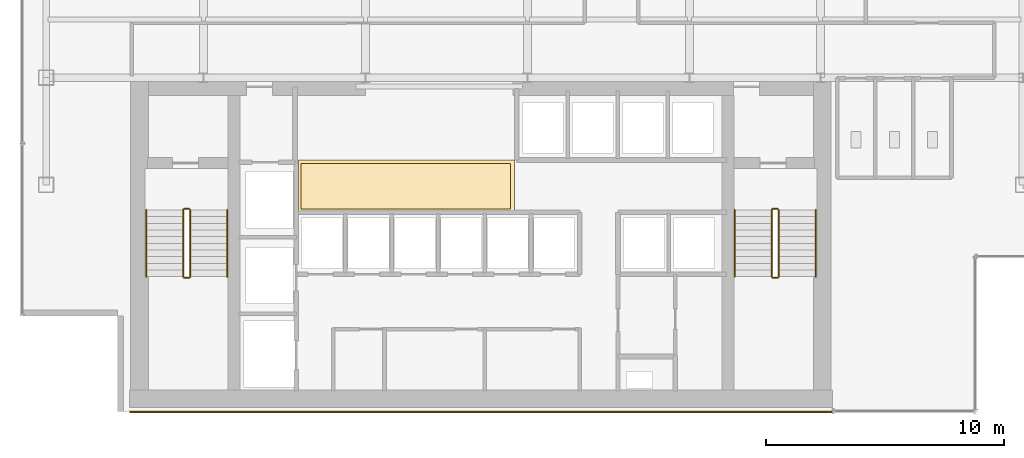
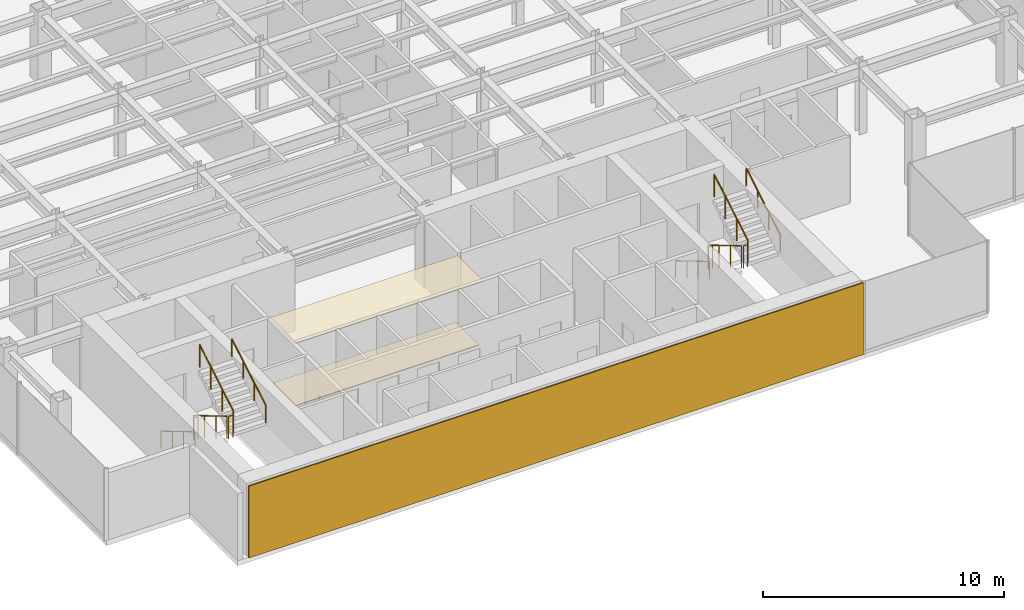
# One storey, part 23 of 25: 12 railings, 3 coverings.
"""IFC4 building model written with IfcOpenShell, lengths in metres."""

from ifc_helpers import new_model, si_unit, derived_unit, direction, frame, origin, origin_2d, place, context, subcontext, project, spatial, polyline, rectangle, circle, outline, extrude, source, transform, mapped, material, layer, layer_set, type_object, element, save


model = new_model("IFC4")

# Units and contexts
model_context = context("Model", 3, precision=1e-05, world=origin(), true_north=direction((0.0, 1.0)))
body_context = subcontext(model_context, "Body", "Model", "MODEL_VIEW")
ifc_project = project(units=[si_unit("LENGTHUNIT", "METRE"), si_unit("AREAUNIT", "SQUARE_METRE"), si_unit("VOLUMEUNIT", "CUBIC_METRE"), si_unit("PLANEANGLEUNIT", "RADIAN"), si_unit("MASSUNIT", "GRAM", prefix="KILO"), derived_unit("THERMALTRANSMITTANCEUNIT", [(si_unit("POWERUNIT", "WATT"), 1), (si_unit("LENGTHUNIT", "METRE"), -2), (si_unit("THERMODYNAMICTEMPERATUREUNIT", "KELVIN"), -1)])], contexts=[model_context])

# Site, building, storey
site_placement = place(None, origin())
site = spatial("IfcSite", under=ifc_project, at=site_placement, CompositionType="ELEMENT")
building_placement = place(site_placement, origin())
building = spatial("IfcBuilding", under=site, at=building_placement, Name="Skarnbrae Concourse Arena and Tower", CompositionType="ELEMENT")
storey_placement = place(building_placement, frame((0.0, 0.0, 162.5)))
storey = spatial("IfcBuildingStorey", under=building, at=storey_placement, Name="L41", CompositionType="ELEMENT", Elevation=162.5)

# Coverings
ifc_material_1 = material(Name="Mineral fibre acoustic ceiling tile", Category="other")
ifc_layer_1 = layer(ifc_material_1, 0.0400390625)
ifc_layer_set_1 = layer_set([ifc_layer_1], Name="Mineral fibre acoustic ceiling tile")
covering_type_1 = type_object("IfcCoveringType", Name="COV-CEIL-ACOUSTIC", PredefinedType="CEILING", material=ifc_layer_set_1)
covering_1_placement = place(storey_placement, frame((0.0, 0.0, 3.239990234375)))
element("IfcCovering", 1, at=covering_1_placement, inside=storey, type_object=covering_type_1, Name="L41 Lift lobby acoustic ceiling", PredefinedType="CEILING", context=body_context, shape_type="SweptSolid", body=[
    extrude(outline(polyline([(11.60009765625, 8.39990234375), (20.64990234375, 8.39990234375), (20.64990234375, 10.550048828125), (11.60009765625, 10.550048828125), (11.60009765625, 8.39990234375)])), origin(), (0.0, 0.0, 1.0), 0.0400390625),
])
ifc_material_2 = material(Name="Polished granite terrazzo flooring", Category="masonry")
ifc_layer_2 = layer(ifc_material_2, 0.0400390625)
ifc_layer_set_2 = layer_set([ifc_layer_2], Name="Polished granite terrazzo flooring")
covering_type_2 = type_object("IfcCoveringType", Name="COV-FLOOR-TERRAZZO", PredefinedType="FLOORING", material=ifc_layer_set_2)
covering_2_placement = place(storey_placement, origin())
element("IfcCovering", 2, at=covering_2_placement, inside=storey, type_object=covering_type_2, Name="L41 Lift lobby terrazzo flooring", PredefinedType="FLOORING", context=body_context, shape_type="SweptSolid", body=[
    extrude(outline(polyline([(11.699951171875, 8.5), (20.5, 8.5), (20.5, 10.39990234375), (11.699951171875, 10.39990234375), (11.699951171875, 8.5)])), origin(), (0.0, 0.0, 1.0), 0.0400390625),
])

# Railings
ifc_material_3 = material(Name="Steel CSA G40.21 350W", Category="steel")
railing_type_1 = type_object("IfcRailingType", Name="RAIL-HANDRAIL-900", PredefinedType="HANDRAIL", material=ifc_material_3)
railing_1_placement = place(storey_placement, frame((5.199951171875, 8.449951171875, 0.166015625)))
element("IfcRailing", 3, at=railing_1_placement, inside=storey, type_object=railing_type_1, Name="L41 ST-1 stair handrail 1", PredefinedType="HANDRAIL", context=body_context, shape_type="SweptSolid", body=[
    extrude(circle(Radius=0.02392578125, at=origin_2d()), frame((0.0, 0.0, 0.8759765625), z_axis=(0.0, -0.860339051648, 0.50972219513), x_axis=(1.0, 0.0, 0.0)), (0.0, 0.0, 1.0), 3.254638671875),
    extrude(circle(Radius=0.02099609375, at=origin_2d()), origin(), (0.0, 0.0, 1.0), 0.851806640625),
    extrude(circle(Radius=0.02099609375, at=origin_2d()), frame((0.0, -0.933349609375, 0.552978515625)), (0.0, 0.0, 1.0), 0.851806640625),
    extrude(circle(Radius=0.02099609375, at=origin_2d()), frame((0.0, -1.86669921875, 1.10595703125)), (0.0, 0.0, 1.0), 0.851806640625),
    extrude(circle(Radius=0.02099609375, at=origin_2d()), frame((0.0, -2.800048828125, 1.658935546875)), (0.0, 0.0, 1.0), 0.851806640625),
])
railing_2_placement = place(storey_placement, frame((8.60009765625, 5.64990234375, 1.990966796875)))
element("IfcRailing", 4, at=railing_2_placement, inside=storey, type_object=railing_type_1, Name="L41 ST-1 stair handrail 2", PredefinedType="HANDRAIL", context=body_context, shape_type="SweptSolid", body=[
    extrude(circle(Radius=0.02392578125, at=origin_2d()), frame((0.0, 0.0, 0.8759765625), z_axis=(0.0, 0.860339051648, 0.50972219513), x_axis=(-1.0, 0.0, 0.0)), (0.0, 0.0, 1.0), 3.254638671875),
    extrude(circle(Radius=0.02099609375, at=origin_2d()), origin(), (0.0, 0.0, 1.0), 0.851806640625),
    extrude(circle(Radius=0.02099609375, at=origin_2d()), frame((0.0, 0.933349609375, 0.552978515625)), (0.0, 0.0, 1.0), 0.851806640625),
    extrude(circle(Radius=0.02099609375, at=origin_2d()), frame((0.0, 1.86669921875, 1.10595703125)), (0.0, 0.0, 1.0), 0.851806640625),
    extrude(circle(Radius=0.02099609375, at=origin_2d()), frame((0.0, 2.800048828125, 1.658935546875)), (0.0, 0.0, 1.0), 0.851806640625),
])
railing_3_placement = place(storey_placement, frame((29.89990234375, 8.449951171875, 0.166015625)))
element("IfcRailing", 5, at=railing_3_placement, inside=storey, type_object=railing_type_1, Name="L41 ST-2 stair handrail 1", PredefinedType="HANDRAIL", context=body_context, shape_type="SweptSolid", body=[
    extrude(circle(Radius=0.02392578125, at=origin_2d()), frame((0.0, 0.0, 0.8759765625), z_axis=(0.0, -0.860339051648, 0.50972219513), x_axis=(1.0, 0.0, 0.0)), (0.0, 0.0, 1.0), 3.254638671875),
    extrude(circle(Radius=0.02099609375, at=origin_2d()), origin(), (0.0, 0.0, 1.0), 0.851806640625),
    extrude(circle(Radius=0.02099609375, at=origin_2d()), frame((0.0, -0.933349609375, 0.552978515625)), (0.0, 0.0, 1.0), 0.851806640625),
    extrude(circle(Radius=0.02099609375, at=origin_2d()), frame((0.0, -1.86669921875, 1.10595703125)), (0.0, 0.0, 1.0), 0.851806640625),
    extrude(circle(Radius=0.02099609375, at=origin_2d()), frame((0.0, -2.800048828125, 1.658935546875)), (0.0, 0.0, 1.0), 0.851806640625),
])
railing_4_placement = place(storey_placement, frame((33.300048828125, 5.64990234375, 1.990966796875)))
element("IfcRailing", 6, at=railing_4_placement, inside=storey, type_object=railing_type_1, Name="L41 ST-2 stair handrail 2", PredefinedType="HANDRAIL", context=body_context, shape_type="SweptSolid", body=[
    extrude(circle(Radius=0.02392578125, at=origin_2d()), frame((0.0, 0.0, 0.8759765625), z_axis=(0.0, 0.860339051648, 0.50972219513), x_axis=(-1.0, 0.0, 0.0)), (0.0, 0.0, 1.0), 3.254638671875),
    extrude(circle(Radius=0.02099609375, at=origin_2d()), origin(), (0.0, 0.0, 1.0), 0.851806640625),
    extrude(circle(Radius=0.02099609375, at=origin_2d()), frame((0.0, 0.933349609375, 0.552978515625)), (0.0, 0.0, 1.0), 0.851806640625),
    extrude(circle(Radius=0.02099609375, at=origin_2d()), frame((0.0, 1.86669921875, 1.10595703125)), (0.0, 0.0, 1.0), 0.851806640625),
    extrude(circle(Radius=0.02099609375, at=origin_2d()), frame((0.0, 2.800048828125, 1.658935546875)), (0.0, 0.0, 1.0), 0.851806640625),
])
railing_type_2 = type_object("IfcRailingType", Name="RAIL-STAIR-GUARD-1150", PredefinedType="GUARDRAIL", material=ifc_material_3)
railing_5_placement = place(storey_placement, frame((6.75, 8.449951171875, 0.166015625)))
element("IfcRailing", 7, at=railing_5_placement, inside=storey, type_object=railing_type_2, Name="L41 ST-1 stair guard 1", PredefinedType="GUARDRAIL", context=body_context, shape_type="SweptSolid", body=[
    extrude(circle(Radius=0.02392578125, at=origin_2d()), frame((0.0, 0.0, 1.1259765625), z_axis=(0.0, -0.860339051648, 0.50972219513), x_axis=(1.0, 0.0, 0.0)), (0.0, 0.0, 1.0), 3.254638671875),
    extrude(circle(Radius=0.02099609375, at=origin_2d()), origin(), (0.0, 0.0, 1.0), 1.101806640625),
    extrude(circle(Radius=0.02099609375, at=origin_2d()), frame((0.0, -0.933349609375, 0.552978515625)), (0.0, 0.0, 1.0), 1.101806640625),
    extrude(circle(Radius=0.02099609375, at=origin_2d()), frame((0.0, -1.86669921875, 1.10595703125)), (0.0, 0.0, 1.0), 1.101806640625),
    extrude(circle(Radius=0.02099609375, at=origin_2d()), frame((0.0, -2.800048828125, 1.658935546875)), (0.0, 0.0, 1.0), 1.101806640625),
])
railing_6_placement = place(storey_placement, frame((6.800048828125, 5.60009765625, 1.824951171875)))
element("IfcRailing", 8, at=railing_6_placement, inside=storey, type_object=railing_type_2, Name="L41 ST-1 stair guard 2", PredefinedType="GUARDRAIL", context=body_context, shape_type="SweptSolid", body=[
    extrude(circle(Radius=0.02392578125, at=origin_2d()), frame((0.0, 0.0, 1.1259765625), z_axis=(1.0, 0.0, 0.0), x_axis=(0.0, 1.0, 0.0)), (0.0, 0.0, 1.0), 0.199951171875),
    extrude(circle(Radius=0.02099609375, at=origin_2d()), origin(), (0.0, 0.0, 1.0), 1.101806640625),
    extrude(circle(Radius=0.02099609375, at=origin_2d()), frame((0.199951171875, 0.0, 0.0)), (0.0, 0.0, 1.0), 1.101806640625),
])
railing_7_placement = place(storey_placement, frame((7.050048828125, 5.64990234375, 1.990966796875)))
element("IfcRailing", 9, at=railing_7_placement, inside=storey, type_object=railing_type_2, Name="L41 ST-1 stair guard 3", PredefinedType="GUARDRAIL", context=body_context, shape_type="SweptSolid", body=[
    extrude(circle(Radius=0.02392578125, at=origin_2d()), frame((0.0, 0.0, 1.1259765625), z_axis=(0.0, 0.860339051648, 0.50972219513), x_axis=(-1.0, 0.0, 0.0)), (0.0, 0.0, 1.0), 3.254638671875),
    extrude(circle(Radius=0.02099609375, at=origin_2d()), origin(), (0.0, 0.0, 1.0), 1.101806640625),
    extrude(circle(Radius=0.02099609375, at=origin_2d()), frame((0.0, 0.933349609375, 0.552978515625)), (0.0, 0.0, 1.0), 1.101806640625),
    extrude(circle(Radius=0.02099609375, at=origin_2d()), frame((0.0, 1.86669921875, 1.10595703125)), (0.0, 0.0, 1.0), 1.101806640625),
    extrude(circle(Radius=0.02099609375, at=origin_2d()), frame((0.0, 2.800048828125, 1.658935546875)), (0.0, 0.0, 1.0), 1.101806640625),
])
railing_8_placement = place(storey_placement, frame((6.800048828125, 8.5, 0.0)))
element("IfcRailing", 10, at=railing_8_placement, inside=storey, type_object=railing_type_2, Name="L41 ST-1 stair guard 4", PredefinedType="GUARDRAIL", context=body_context, shape_type="SweptSolid", body=[
    extrude(circle(Radius=0.02392578125, at=origin_2d()), frame((0.0, 0.0, 1.1259765625), z_axis=(1.0, 0.0, 0.0), x_axis=(0.0, 1.0, 0.0)), (0.0, 0.0, 1.0), 0.199951171875),
    extrude(circle(Radius=0.02099609375, at=origin_2d()), origin(), (0.0, 0.0, 1.0), 1.101806640625),
    extrude(circle(Radius=0.02099609375, at=origin_2d()), frame((0.199951171875, 0.0, 0.0)), (0.0, 0.0, 1.0), 1.101806640625),
])
railing_9_placement = place(storey_placement, frame((31.449951171875, 8.449951171875, 0.166015625)))
element("IfcRailing", 11, at=railing_9_placement, inside=storey, type_object=railing_type_2, Name="L41 ST-2 stair guard 1", PredefinedType="GUARDRAIL", context=body_context, shape_type="SweptSolid", body=[
    extrude(circle(Radius=0.02392578125, at=origin_2d()), frame((0.0, 0.0, 1.1259765625), z_axis=(0.0, -0.860339051648, 0.50972219513), x_axis=(1.0, 0.0, 0.0)), (0.0, 0.0, 1.0), 3.254638671875),
    extrude(circle(Radius=0.02099609375, at=origin_2d()), origin(), (0.0, 0.0, 1.0), 1.101806640625),
    extrude(circle(Radius=0.02099609375, at=origin_2d()), frame((0.0, -0.933349609375, 0.552978515625)), (0.0, 0.0, 1.0), 1.101806640625),
    extrude(circle(Radius=0.02099609375, at=origin_2d()), frame((0.0, -1.86669921875, 1.10595703125)), (0.0, 0.0, 1.0), 1.101806640625),
    extrude(circle(Radius=0.02099609375, at=origin_2d()), frame((0.0, -2.800048828125, 1.658935546875)), (0.0, 0.0, 1.0), 1.101806640625),
])
railing_10_placement = place(storey_placement, frame((31.5, 5.60009765625, 1.824951171875)))
element("IfcRailing", 12, at=railing_10_placement, inside=storey, type_object=railing_type_2, Name="L41 ST-2 stair guard 2", PredefinedType="GUARDRAIL", context=body_context, shape_type="SweptSolid", body=[
    extrude(circle(Radius=0.02392578125, at=origin_2d()), frame((0.0, 0.0, 1.1259765625), z_axis=(1.0, 0.0, 0.0), x_axis=(0.0, 1.0, 0.0)), (0.0, 0.0, 1.0), 0.199951171875),
    extrude(circle(Radius=0.02099609375, at=origin_2d()), origin(), (0.0, 0.0, 1.0), 1.101806640625),
    extrude(circle(Radius=0.02099609375, at=origin_2d()), frame((0.199951171875, 0.0, 0.0)), (0.0, 0.0, 1.0), 1.101806640625),
])
railing_11_placement = place(storey_placement, frame((31.75, 5.64990234375, 1.990966796875)))
element("IfcRailing", 13, at=railing_11_placement, inside=storey, type_object=railing_type_2, Name="L41 ST-2 stair guard 3", PredefinedType="GUARDRAIL", context=body_context, shape_type="SweptSolid", body=[
    extrude(circle(Radius=0.02392578125, at=origin_2d()), frame((0.0, 0.0, 1.1259765625), z_axis=(0.0, 0.860339051648, 0.50972219513), x_axis=(-1.0, 0.0, 0.0)), (0.0, 0.0, 1.0), 3.254638671875),
    extrude(circle(Radius=0.02099609375, at=origin_2d()), origin(), (0.0, 0.0, 1.0), 1.101806640625),
    extrude(circle(Radius=0.02099609375, at=origin_2d()), frame((0.0, 0.933349609375, 0.552978515625)), (0.0, 0.0, 1.0), 1.101806640625),
    extrude(circle(Radius=0.02099609375, at=origin_2d()), frame((0.0, 1.86669921875, 1.10595703125)), (0.0, 0.0, 1.0), 1.101806640625),
    extrude(circle(Radius=0.02099609375, at=origin_2d()), frame((0.0, 2.800048828125, 1.658935546875)), (0.0, 0.0, 1.0), 1.101806640625),
])
railing_12_placement = place(storey_placement, frame((31.5, 8.5, 0.0)))
element("IfcRailing", 14, at=railing_12_placement, inside=storey, type_object=railing_type_2, Name="L41 ST-2 stair guard 4", PredefinedType="GUARDRAIL", context=body_context, shape_type="SweptSolid", body=[
    extrude(circle(Radius=0.02392578125, at=origin_2d()), frame((0.0, 0.0, 1.1259765625), z_axis=(1.0, 0.0, 0.0), x_axis=(0.0, 1.0, 0.0)), (0.0, 0.0, 1.0), 0.199951171875),
    extrude(circle(Radius=0.02099609375, at=origin_2d()), origin(), (0.0, 0.0, 1.0), 1.101806640625),
    extrude(circle(Radius=0.02099609375, at=origin_2d()), frame((0.199951171875, 0.0, 0.0)), (0.0, 0.0, 1.0), 1.101806640625),
])

# Covering
ifc_material_4 = material(Name="Bronze anodised aluminium 6063-T6", Category="aluminium")
ifc_layer_3 = layer(ifc_material_4, 0.06005859375)
ifc_layer_set_3 = layer_set([ifc_layer_3], Name="Bronze anodised aluminium 6063-T6")
covering_type_3 = type_object("IfcCoveringType", Name="COV-CLAD-BRONZE-60", PredefinedType="CLADDING", material=ifc_layer_set_3)
shared_shape = source(origin(), body_context, "Body", "SweptSolid", [
    extrude(rectangle(XDim=29.5, YDim=0.06005859375, at=origin_2d()), origin(), (0.0, 0.0, 1.0), 3.64990234375),
])
covering_3_placement = place(storey_placement, frame((19.25, -0.030029296875, 0.0), z_axis=(0.0, 0.0, 1.0), x_axis=(1.0, 0.0, 0.0)))
element("IfcCovering", 15, at=covering_3_placement, inside=storey, type_object=covering_type_3, Name="L41 Rear-core plumb spine bronze rainscreen panel", PredefinedType="CLADDING", context=body_context, shape_type="MappedRepresentation", body=[
    mapped(shared_shape, transform((0.0, 0.0, 0.0))),
])

save(model, "model.ifc")
